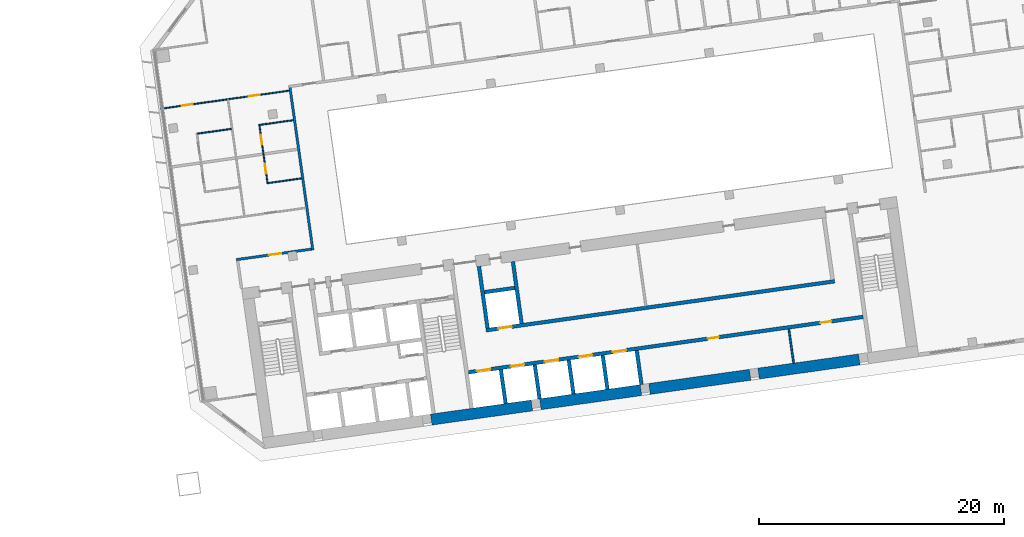
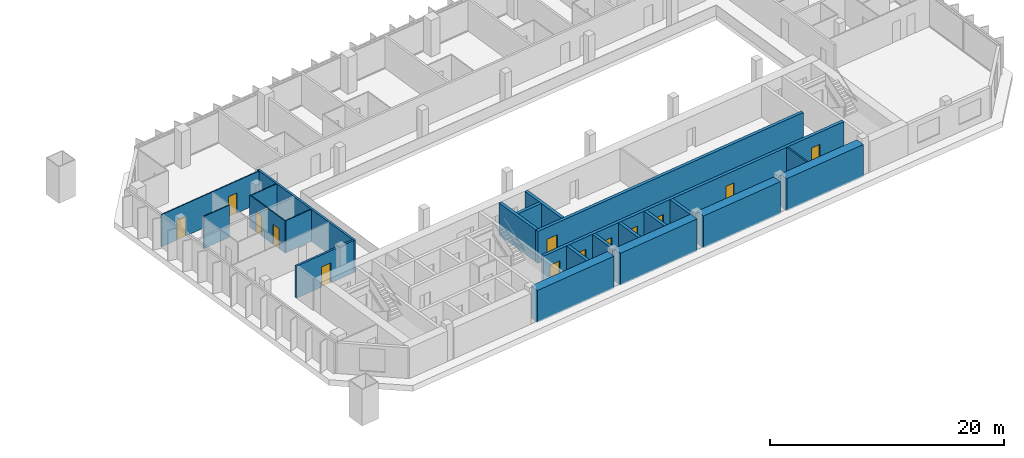
# One storey, part 19 of 25: 22 walls, 13 doors, 13 openings.
"""IFC4 building model written with IfcOpenShell, lengths in metres."""

from ifc_helpers import new_model, si_unit, direction, frame, frame_2d, origin, place, context, subcontext, project, spatial, rectangle, extrude, material, layer, layer_set, type_object, element, fill, save


model = new_model("IFC4")

# Units and contexts
model_context = context("Model", 3, precision=1e-05, world=origin(), true_north=direction((0.0, 1.0)))
body_context = subcontext(model_context, "Body", "Model", "MODEL_VIEW")
ifc_project = project(units=[si_unit("LENGTHUNIT", "METRE"), si_unit("AREAUNIT", "SQUARE_METRE"), si_unit("VOLUMEUNIT", "CUBIC_METRE"), si_unit("PLANEANGLEUNIT", "RADIAN"), si_unit("MASSUNIT", "GRAM", prefix="KILO")], contexts=[model_context])

# Site, building, storey
site_placement = place(None, origin())
site = spatial("IfcSite", under=ifc_project, at=site_placement, CompositionType="ELEMENT")
building_placement = place(site_placement, origin())
building = spatial("IfcBuilding", under=site, at=building_placement, Name="Mirante Cascada Hotel Towers", CompositionType="ELEMENT")
storey_placement = place(building_placement, frame((0.0, 0.0, 73.7)))
storey = spatial("IfcBuildingStorey", under=building, at=storey_placement, Name="L15", CompositionType="ELEMENT", Elevation=73.7)

# Wall, opening, door
ifc_material_1 = material(Name="Fire-rated plasterboard on metal studs")
ifc_layer_1 = layer(ifc_material_1, 0.2)
ifc_layer_set_1 = layer_set([ifc_layer_1], Name="Compartment wall 200 EI 120")
wall_type_1 = type_object("IfcWallType", Name="Compartment wall 200 EI 120", PredefinedType="PARTITIONING", material=ifc_layer_set_1)
wall_1_placement = place(storey_placement, frame((40.97, -3.8917, 0.0), z_axis=(0.0, 0.0, 1.0), x_axis=(-0.9902695, -0.1391629, 0.0)))
wall_1 = element("IfcWall", 1, at=wall_1_placement, inside=storey, type_object=wall_type_1, Name="Wall 2-L15-03", PredefinedType="PARTITIONING", context=body_context, shape_type="SweptSolid", body=[
    extrude(rectangle(XDim=6.1999, YDim=0.2, at=frame_2d((3.1, 0.0))), origin(), (0.0, 0.0, 1.0), 3.35),
])
opening_1_placement = place(wall_1_placement, frame((2.5, 0.0, 0.0)))
opening_1 = element("IfcOpeningElement", 2, at=opening_1_placement, cuts=wall_1, Name="Opening D2-L15-04", PredefinedType="OPENING", context=body_context, shape_type="SweptSolid", body=[
    extrude(rectangle(XDim=1.0, YDim=2.1, at=frame_2d((0.5, 1.05))), frame((0.0, 0.1, 0.0), z_axis=(0.0, -1.0, 0.0), x_axis=(1.0, 0.0, 0.0)), (0.0, 0.0, 1.0), 0.2),
])
ifc_material_2 = material(Name="Fire-rated timber door leaf", Category="wood")
door_type_1 = type_object("IfcDoorType", Name="Entrance door DG1 1000x2100 EI 60", OperationType="SINGLE_SWING_LEFT", PredefinedType="DOOR", material=ifc_material_2)
door_1_placement = place(opening_1_placement, origin())
door_1 = element("IfcDoor", 3, at=door_1_placement, inside=storey, type_object=door_type_1, Name="Door D2-L15-04", OperationType="SINGLE_SWING_LEFT", OverallHeight=2.1, OverallWidth=1.0, PredefinedType="DOOR", context=body_context, shape_type="SweptSolid", body=[
    extrude(rectangle(XDim=1.0, YDim=2.1, at=frame_2d((0.5, 1.05))), frame((0.0, 0.025, 0.0), z_axis=(0.0, -1.0, 0.0), x_axis=(1.0, 0.0, 0.0)), (0.0, 0.0, 1.0), 0.05),
])
fill(opening_1, door_1)

# Walls
wall_2_placement = place(storey_placement, frame((41.083, -3.9768, 0.0), z_axis=(0.0, 0.0, 1.0), x_axis=(-0.1391716, 0.9902683, 0.0)))
element("IfcWall", 4, at=wall_2_placement, inside=storey, type_object=wall_type_1, Name="Wall 2-L15-34", PredefinedType="PARTITIONING", context=body_context, shape_type="SweptSolid", body=[
    extrude(rectangle(XDim=13.4, YDim=0.2, at=frame_2d((6.7, 0.0))), origin(), (0.0, 0.0, 1.0), 3.35),
])
ifc_material_3 = material(Name="Masonry block", Category="masonry")
ifc_layer_2 = layer(ifc_material_3, 0.15)
ifc_layer_set_2 = layer_set([ifc_layer_2], Name="Core room partition 150 block EI 30")
wall_type_2 = type_object("IfcWallType", Name="Core room partition 150 block EI 30", PredefinedType="PARTITIONING", material=ifc_layer_set_2)
wall_3_placement = place(storey_placement, frame((80.349, -13.2018, 0.0), z_axis=(0.0, 0.0, 1.0), x_axis=(-0.139176, 0.9902677, 0.0)))
element("IfcWall", 5, at=wall_3_placement, inside=storey, type_object=wall_type_2, Name="Core wall partition T2 L15 5", PredefinedType="PARTITIONING", context=body_context, shape_type="SweptSolid", body=[
    extrude(rectangle(XDim=2.8001, YDim=0.15, at=frame_2d((1.4, 0.0))), origin(), (0.0, 0.0, 1.0), 3.35),
])
ifc_material_4 = material(Name="Plasterboard on metal studs")
ifc_layer_3 = layer(ifc_material_4, 0.1)
ifc_layer_set_3 = layer_set([ifc_layer_3], Name="Partition 100")
wall_type_3 = type_object("IfcWallType", Name="Partition 100", PredefinedType="PARTITIONING", material=ifc_layer_set_3)
wall_4_placement = place(storey_placement, frame((37.435, 1.5021, 0.0), z_axis=(0.0, 0.0, 1.0), x_axis=(0.9902641, 0.1392013, 0.0)))
element("IfcWall", 6, at=wall_4_placement, inside=storey, type_object=wall_type_3, Name="Wall 2-L15-10", PredefinedType="PARTITIONING", context=body_context, shape_type="SweptSolid", body=[
    extrude(rectangle(XDim=2.75, YDim=0.1, at=frame_2d((1.375, 0.0))), origin(), (0.0, 0.0, 1.0), 3.35),
])
wall_5_placement = place(storey_placement, frame((34.4398, 5.9284, 0.0), z_axis=(0.0, 0.0, 1.0), x_axis=(-0.9902677, -0.139176, 0.0)))
element("IfcWall", 7, at=wall_5_placement, inside=storey, type_object=wall_type_3, Name="Wall 2-L15-13", PredefinedType="PARTITIONING", context=body_context, shape_type="SweptSolid", body=[
    extrude(rectangle(XDim=2.8001, YDim=0.1, at=frame_2d((1.4, 0.0))), origin(), (0.0, 0.0, 1.0), 3.35),
])
wall_6_placement = place(storey_placement, frame((36.7669, 6.2554, 0.0), z_axis=(0.0, 0.0, 1.0), x_axis=(0.9902698, 0.1391607, 0.0)))
element("IfcWall", 8, at=wall_6_placement, inside=storey, type_object=wall_type_3, Name="Wall 2-L15-14", PredefinedType="PARTITIONING", context=body_context, shape_type="SweptSolid", body=[
    extrude(rectangle(XDim=2.7501, YDim=0.1, at=frame_2d((1.3751, 0.0))), origin(), (0.0, 0.0, 1.0), 3.35),
])

# Wall, openings, doors
wall_7_placement = place(storey_placement, frame((39.1515, 9.0479, 0.0), z_axis=(0.0, 0.0, 1.0), x_axis=(-0.9902671, -0.1391797, 0.0)))
wall_7 = element("IfcWall", 9, at=wall_7_placement, inside=storey, type_object=wall_type_3, Name="Wall 2-L15-17", PredefinedType="PARTITIONING", context=body_context, shape_type="SweptSolid", body=[
    extrude(rectangle(XDim=10.6, YDim=0.1, at=frame_2d((5.3, 0.0))), origin(), (0.0, 0.0, 1.0), 3.35),
])
opening_2_placement = place(wall_7_placement, frame((7.975, 0.0, 0.0)))
opening_2 = element("IfcOpeningElement", 10, at=opening_2_placement, cuts=wall_7, Name="Opening D2-L15-07", PredefinedType="OPENING", context=body_context, shape_type="SweptSolid", body=[
    extrude(rectangle(XDim=0.9, YDim=2.1, at=frame_2d((0.45, 1.05))), frame((0.0, 0.05, 0.0), z_axis=(0.0, -1.0, 0.0), x_axis=(1.0, 0.0, 0.0)), (0.0, 0.0, 1.0), 0.1),
])
opening_3_placement = place(wall_7_placement, frame((2.425, 0.0, 0.0)))
opening_3 = element("IfcOpeningElement", 11, at=opening_3_placement, cuts=wall_7, Name="Opening D2-L15-08", PredefinedType="OPENING", context=body_context, shape_type="SweptSolid", body=[
    extrude(rectangle(XDim=0.9, YDim=2.1, at=frame_2d((0.45, 1.05))), frame((0.0, 0.05, 0.0), z_axis=(0.0, -1.0, 0.0), x_axis=(1.0, 0.0, 0.0)), (0.0, 0.0, 1.0), 0.1),
])
ifc_material_5 = material(Name="Timber door leaf", Category="wood")
door_type_2 = type_object("IfcDoorType", Name="Room door DG3 900x2100", OperationType="SINGLE_SWING_LEFT", PredefinedType="DOOR", material=ifc_material_5)
door_2_placement = place(opening_2_placement, frame((0.9, 0.0, 0.0), z_axis=(0.0, 0.0, 1.0), x_axis=(-1.0, 0.0, 0.0)))
door_2 = element("IfcDoor", 12, at=door_2_placement, inside=storey, type_object=door_type_2, Name="Door D2-L15-07", OperationType="SINGLE_SWING_RIGHT", OverallHeight=2.1, OverallWidth=0.9, PredefinedType="DOOR", context=body_context, shape_type="SweptSolid", body=[
    extrude(rectangle(XDim=0.9, YDim=2.1, at=frame_2d((0.45, 1.05))), frame((0.0, 0.025, 0.0), z_axis=(0.0, -1.0, 0.0), x_axis=(1.0, 0.0, 0.0)), (0.0, 0.0, 1.0), 0.05),
])
fill(opening_2, door_2)
door_3_placement = place(opening_3_placement, frame((0.9, 0.0, 0.0), z_axis=(0.0, 0.0, 1.0), x_axis=(-1.0, 0.0, 0.0)))
door_3 = element("IfcDoor", 13, at=door_3_placement, inside=storey, type_object=door_type_2, Name="Door D2-L15-08", OperationType="SINGLE_SWING_RIGHT", OverallHeight=2.1, OverallWidth=0.9, PredefinedType="DOOR", context=body_context, shape_type="SweptSolid", body=[
    extrude(rectangle(XDim=0.9, YDim=2.1, at=frame_2d((0.45, 1.05))), frame((0.0, 0.025, 0.0), z_axis=(0.0, -1.0, 0.0), x_axis=(1.0, 0.0, 0.0)), (0.0, 0.0, 1.0), 0.05),
])
fill(opening_3, door_3)

wall_8_placement = place(storey_placement, frame((36.7105, 6.298, 0.0), z_axis=(0.0, 0.0, 1.0), x_axis=(0.1391638, -0.9902694, 0.0)))
wall_8 = element("IfcWall", 14, at=wall_8_placement, inside=storey, type_object=wall_type_3, Name="Wall 2-L15-33", PredefinedType="PARTITIONING", context=body_context, shape_type="SweptSolid", body=[
    extrude(rectangle(XDim=4.9, YDim=0.1, at=frame_2d((2.45, 0.0))), origin(), (0.0, 0.0, 1.0), 3.35),
])
opening_4_placement = place(wall_8_placement, frame((3.25, 0.0, 0.0)))
opening_4 = element("IfcOpeningElement", 15, at=opening_4_placement, cuts=wall_8, Name="Opening D2-L15-32", PredefinedType="OPENING", context=body_context, shape_type="SweptSolid", body=[
    extrude(rectangle(XDim=0.8, YDim=2.1, at=frame_2d((0.4, 1.05))), frame((0.0, 0.05, 0.0), z_axis=(0.0, -1.0, 0.0), x_axis=(1.0, 0.0, 0.0)), (0.0, 0.0, 1.0), 0.1),
])
opening_5_placement = place(wall_8_placement, frame((0.85, 0.0, 0.0)))
opening_5 = element("IfcOpeningElement", 16, at=opening_5_placement, cuts=wall_8, Name="Opening D2-L15-33", PredefinedType="OPENING", context=body_context, shape_type="SweptSolid", body=[
    extrude(rectangle(XDim=0.8, YDim=2.1, at=frame_2d((0.4, 1.05))), frame((0.0, 0.05, 0.0), z_axis=(0.0, -1.0, 0.0), x_axis=(1.0, 0.0, 0.0)), (0.0, 0.0, 1.0), 0.1),
])
ifc_material_6 = material(Name="Timber door leaf", Category="wood")
door_type_3 = type_object("IfcDoorType", Name="Bathroom door DG4 800x2100", OperationType="SINGLE_SWING_LEFT", PredefinedType="DOOR", material=ifc_material_6)
door_4_placement = place(opening_4_placement, origin())
door_4 = element("IfcDoor", 17, at=door_4_placement, inside=storey, type_object=door_type_3, Name="Door D2-L15-32", OperationType="SINGLE_SWING_LEFT", OverallHeight=2.1, OverallWidth=0.8, PredefinedType="DOOR", context=body_context, shape_type="SweptSolid", body=[
    extrude(rectangle(XDim=0.8, YDim=2.1, at=frame_2d((0.4, 1.05))), frame((0.0, 0.025, 0.0), z_axis=(0.0, -1.0, 0.0), x_axis=(1.0, 0.0, 0.0)), (0.0, 0.0, 1.0), 0.05),
])
fill(opening_4, door_4)
door_5_placement = place(opening_5_placement, origin())
door_5 = element("IfcDoor", 18, at=door_5_placement, inside=storey, type_object=door_type_3, Name="Door D2-L15-33", OperationType="SINGLE_SWING_LEFT", OverallHeight=2.1, OverallWidth=0.8, PredefinedType="DOOR", context=body_context, shape_type="SweptSolid", body=[
    extrude(rectangle(XDim=0.8, YDim=2.1, at=frame_2d((0.4, 1.05))), frame((0.0, 0.025, 0.0), z_axis=(0.0, -1.0, 0.0), x_axis=(1.0, 0.0, 0.0)), (0.0, 0.0, 1.0), 0.05),
])
fill(opening_5, door_5)

ifc_material_7 = material(Name="Concrete C50/60", Category="concrete")
ifc_layer_4 = layer(ifc_material_7, 0.3)
ifc_layer_set_4 = layer_set([ifc_layer_4], Name="RC core wall 300 C50/60")
wall_type_4 = type_object("IfcWallType", Name="RC core wall 300 C50/60", PredefinedType="SHEAR", material=ifc_layer_set_4)
wall_9_placement = place(storey_placement, frame((53.7953, -13.9547, 0.0), z_axis=(0.0, 0.0, 1.0), x_axis=(0.990268, 0.1391733, 0.0)))
wall_9 = element("IfcWall", 19, at=wall_9_placement, inside=storey, type_object=wall_type_4, Name="Core wall T2:L15:25", PredefinedType="SHEAR", context=body_context, shape_type="SweptSolid", body=[
    extrude(rectangle(XDim=32.5501, YDim=0.3, at=frame_2d((16.275, 0.0))), origin(), (0.0, 0.0, 1.0), 3.35),
])
opening_6_placement = place(wall_9_placement, frame((0.7, 0.0, 0.0)))
opening_6 = element("IfcOpeningElement", 20, at=opening_6_placement, cuts=wall_9, Name="Opening LD", PredefinedType="OPENING", context=body_context, shape_type="SweptSolid", body=[
    extrude(rectangle(XDim=1.1, YDim=2.1, at=frame_2d((0.55, 1.05))), frame((0.0, 0.15, 0.0), z_axis=(0.0, -1.0, 0.0), x_axis=(1.0, 0.0, 0.0)), (0.0, 0.0, 1.0), 0.3),
])
opening_7_placement = place(wall_9_placement, frame((3.5, 0.0, 0.0)))
opening_7 = element("IfcOpeningElement", 21, at=opening_7_placement, cuts=wall_9, Name="Opening LD", PredefinedType="OPENING", context=body_context, shape_type="SweptSolid", body=[
    extrude(rectangle(XDim=1.1, YDim=2.1, at=frame_2d((0.55, 1.05))), frame((0.0, 0.15, 0.0), z_axis=(0.0, -1.0, 0.0), x_axis=(1.0, 0.0, 0.0)), (0.0, 0.0, 1.0), 0.3),
])
opening_8_placement = place(wall_9_placement, frame((6.3, 0.0, 0.0)))
opening_8 = element("IfcOpeningElement", 22, at=opening_8_placement, cuts=wall_9, Name="Opening LD", PredefinedType="OPENING", context=body_context, shape_type="SweptSolid", body=[
    extrude(rectangle(XDim=1.1, YDim=2.1, at=frame_2d((0.55, 1.05))), frame((0.0, 0.15, 0.0), z_axis=(0.0, -1.0, 0.0), x_axis=(1.0, 0.0, 0.0)), (0.0, 0.0, 1.0), 0.3),
])
opening_9_placement = place(wall_9_placement, frame((9.1, 0.0, 0.0)))
opening_9 = element("IfcOpeningElement", 23, at=opening_9_placement, cuts=wall_9, Name="Opening LD", PredefinedType="OPENING", context=body_context, shape_type="SweptSolid", body=[
    extrude(rectangle(XDim=1.1, YDim=2.1, at=frame_2d((0.55, 1.05))), frame((0.0, 0.15, 0.0), z_axis=(0.0, -1.0, 0.0), x_axis=(1.0, 0.0, 0.0)), (0.0, 0.0, 1.0), 0.3),
])
opening_10_placement = place(wall_9_placement, frame((11.9, 0.0, 0.0)))
opening_10 = element("IfcOpeningElement", 24, at=opening_10_placement, cuts=wall_9, Name="Opening LD", PredefinedType="OPENING", context=body_context, shape_type="SweptSolid", body=[
    extrude(rectangle(XDim=1.1, YDim=2.1, at=frame_2d((0.55, 1.05))), frame((0.0, 0.15, 0.0), z_axis=(0.0, -1.0, 0.0), x_axis=(1.0, 0.0, 0.0)), (0.0, 0.0, 1.0), 0.3),
])
opening_11_placement = place(wall_9_placement, frame((19.75, 0.0, 0.0)))
opening_11 = element("IfcOpeningElement", 25, at=opening_11_placement, cuts=wall_9, Name="Opening D2-15-C26", PredefinedType="OPENING", context=body_context, shape_type="SweptSolid", body=[
    extrude(rectangle(XDim=0.9, YDim=2.1, at=frame_2d((0.45, 1.05))), frame((0.0, 0.15, 0.0), z_axis=(0.0, -1.0, 0.0), x_axis=(1.0, 0.0, 0.0)), (0.0, 0.0, 1.0), 0.3),
])
opening_12_placement = place(wall_9_placement, frame((29.025, 0.0, 0.0)))
opening_12 = element("IfcOpeningElement", 26, at=opening_12_placement, cuts=wall_9, Name="Opening D2-15-C27", PredefinedType="OPENING", context=body_context, shape_type="SweptSolid", body=[
    extrude(rectangle(XDim=0.9, YDim=2.1, at=frame_2d((0.45, 1.05))), frame((0.0, 0.15, 0.0), z_axis=(0.0, -1.0, 0.0), x_axis=(1.0, 0.0, 0.0)), (0.0, 0.0, 1.0), 0.3),
])
ifc_material_8 = material(Name="Hollow metal fire door leaf")
door_type_4 = type_object("IfcDoorType", Name="Fire door 900x2100 FD60", OperationType="NOTDEFINED", PredefinedType="DOOR", material=ifc_material_8)
door_6_placement = place(opening_11_placement, frame((0.9, 0.0, 0.0), z_axis=(0.0, 0.0, 1.0), x_axis=(-1.0, 0.0, 0.0)))
door_6 = element("IfcDoor", 27, at=door_6_placement, inside=storey, type_object=door_type_4, Name="Room door T2 L15 26", OperationType="SINGLE_SWING_RIGHT", OverallHeight=2.1, OverallWidth=0.9, PredefinedType="DOOR", context=body_context, shape_type="SweptSolid", body=[
    extrude(rectangle(XDim=0.9, YDim=2.1, at=frame_2d((0.45, 1.05))), frame((0.0, 0.025, 0.0), z_axis=(0.0, -1.0, 0.0), x_axis=(1.0, 0.0, 0.0)), (0.0, 0.0, 1.0), 0.05),
])
fill(opening_11, door_6)
door_7_placement = place(opening_12_placement, frame((0.9, 0.0, 0.0), z_axis=(0.0, 0.0, 1.0), x_axis=(-1.0, 0.0, 0.0)))
door_7 = element("IfcDoor", 28, at=door_7_placement, inside=storey, type_object=door_type_4, Name="Room door T2 L15 27", OperationType="SINGLE_SWING_RIGHT", OverallHeight=2.1, OverallWidth=0.9, PredefinedType="DOOR", context=body_context, shape_type="SweptSolid", body=[
    extrude(rectangle(XDim=0.9, YDim=2.1, at=frame_2d((0.45, 1.05))), frame((0.0, 0.025, 0.0), z_axis=(0.0, -1.0, 0.0), x_axis=(1.0, 0.0, 0.0)), (0.0, 0.0, 1.0), 0.05),
])
fill(opening_12, door_7)
ifc_material_9 = material(Name="Stainless steel", Category="steel")
door_type_5 = type_object("IfcDoorType", Name="Lift landing door 1100x2100 EI 120", OperationType="DOUBLE_DOOR_SLIDING", PredefinedType="DOOR", material=ifc_material_9)
door_8_placement = place(opening_6_placement, origin())
door_8 = element("IfcDoor", 29, at=door_8_placement, inside=storey, type_object=door_type_5, Name="Lift landing door LR2-1 L15", OperationType="DOUBLE_DOOR_SLIDING", OverallHeight=2.1, OverallWidth=1.1, PredefinedType="DOOR", context=body_context, shape_type="SweptSolid", body=[
    extrude(rectangle(XDim=0.545, YDim=2.1, at=frame_2d((0.2725, 1.05))), frame((0.0, 0.025, 0.0), z_axis=(0.0, -1.0, 0.0), x_axis=(1.0, 0.0, 0.0)), (0.0, 0.0, 1.0), 0.05),
    extrude(rectangle(XDim=0.545, YDim=2.1, at=frame_2d((0.8275, 1.05))), frame((0.0, 0.025, 0.0), z_axis=(0.0, -1.0, 0.0), x_axis=(1.0, 0.0, 0.0)), (0.0, 0.0, 1.0), 0.05),
])
fill(opening_6, door_8)
door_9_placement = place(opening_7_placement, origin())
door_9 = element("IfcDoor", 30, at=door_9_placement, inside=storey, type_object=door_type_5, Name="Lift landing door LR2-2 L15", OperationType="DOUBLE_DOOR_SLIDING", OverallHeight=2.1, OverallWidth=1.1, PredefinedType="DOOR", context=body_context, shape_type="SweptSolid", body=[
    extrude(rectangle(XDim=0.545, YDim=2.1, at=frame_2d((0.2725, 1.05))), frame((0.0, 0.025, 0.0), z_axis=(0.0, -1.0, 0.0), x_axis=(1.0, 0.0, 0.0)), (0.0, 0.0, 1.0), 0.05),
    extrude(rectangle(XDim=0.545, YDim=2.1, at=frame_2d((0.8275, 1.05))), frame((0.0, 0.025, 0.0), z_axis=(0.0, -1.0, 0.0), x_axis=(1.0, 0.0, 0.0)), (0.0, 0.0, 1.0), 0.05),
])
fill(opening_7, door_9)
door_10_placement = place(opening_8_placement, origin())
door_10 = element("IfcDoor", 31, at=door_10_placement, inside=storey, type_object=door_type_5, Name="Lift landing door SV2-1 L15", OperationType="DOUBLE_DOOR_SLIDING", OverallHeight=2.1, OverallWidth=1.1, PredefinedType="DOOR", context=body_context, shape_type="SweptSolid", body=[
    extrude(rectangle(XDim=0.545, YDim=2.1, at=frame_2d((0.2725, 1.05))), frame((0.0, 0.025, 0.0), z_axis=(0.0, -1.0, 0.0), x_axis=(1.0, 0.0, 0.0)), (0.0, 0.0, 1.0), 0.05),
    extrude(rectangle(XDim=0.545, YDim=2.1, at=frame_2d((0.8275, 1.05))), frame((0.0, 0.025, 0.0), z_axis=(0.0, -1.0, 0.0), x_axis=(1.0, 0.0, 0.0)), (0.0, 0.0, 1.0), 0.05),
])
fill(opening_8, door_10)
door_11_placement = place(opening_9_placement, origin())
door_11 = element("IfcDoor", 32, at=door_11_placement, inside=storey, type_object=door_type_5, Name="Lift landing door SV2-2 L15", OperationType="DOUBLE_DOOR_SLIDING", OverallHeight=2.1, OverallWidth=1.1, PredefinedType="DOOR", context=body_context, shape_type="SweptSolid", body=[
    extrude(rectangle(XDim=0.545, YDim=2.1, at=frame_2d((0.2725, 1.05))), frame((0.0, 0.025, 0.0), z_axis=(0.0, -1.0, 0.0), x_axis=(1.0, 0.0, 0.0)), (0.0, 0.0, 1.0), 0.05),
    extrude(rectangle(XDim=0.545, YDim=2.1, at=frame_2d((0.8275, 1.05))), frame((0.0, 0.025, 0.0), z_axis=(0.0, -1.0, 0.0), x_axis=(1.0, 0.0, 0.0)), (0.0, 0.0, 1.0), 0.05),
])
fill(opening_9, door_11)
door_12_placement = place(opening_10_placement, origin())
door_12 = element("IfcDoor", 33, at=door_12_placement, inside=storey, type_object=door_type_5, Name="Lift landing door SV2-3 L15", OperationType="DOUBLE_DOOR_SLIDING", OverallHeight=2.1, OverallWidth=1.1, PredefinedType="DOOR", context=body_context, shape_type="SweptSolid", body=[
    extrude(rectangle(XDim=0.545, YDim=2.1, at=frame_2d((0.2725, 1.05))), frame((0.0, 0.025, 0.0), z_axis=(0.0, -1.0, 0.0), x_axis=(1.0, 0.0, 0.0)), (0.0, 0.0, 1.0), 0.05),
    extrude(rectangle(XDim=0.545, YDim=2.1, at=frame_2d((0.8275, 1.05))), frame((0.0, 0.025, 0.0), z_axis=(0.0, -1.0, 0.0), x_axis=(1.0, 0.0, 0.0)), (0.0, 0.0, 1.0), 0.05),
])
fill(opening_10, door_12)

# Walls
for number, where, z_axis, x_axis, name in (
    (34, (56.8301, -16.5072, 0.0), (0.0, 0.0, 1.0), (-0.139176, 0.9902677, 0.0), "Core wall T2:L15:26"),
    (35, (59.6029, -16.1175, 0.0), (0.0, 0.0, 1.0), (-0.139176, 0.9902677, 0.0), "Core wall T2:L15:27"),
    (36, (62.3756, -15.7278, 0.0), (0.0, 0.0, 1.0), (-0.139176, 0.9902677, 0.0), "Core wall T2:L15:28"),
    (37, (65.1484, -15.3381, 0.0), (0.0, 0.0, 1.0), (-0.139176, 0.9902677, 0.0), "Core wall T2:L15:29"),
):
    element("IfcWall", number, at=place(storey_placement, frame(where, z_axis=z_axis, x_axis=x_axis)), inside=storey, type_object=wall_type_4, Name=name, PredefinedType="SHEAR", context=body_context, shape_type="SweptSolid", body=[
        extrude(rectangle(XDim=2.8001, YDim=0.3, at=frame_2d((1.4, 0.0))), origin(), (0.0, 0.0, 1.0), 3.35),
    ])
wall_10_placement = place(storey_placement, frame((67.9211, -14.9484, 0.0), z_axis=(0.0, 0.0, 1.0), x_axis=(-0.139181, 0.990267, 0.0)))
element("IfcWall", 38, at=wall_10_placement, inside=storey, type_object=wall_type_4, Name="Core wall T2:L15:30", PredefinedType="SHEAR", context=body_context, shape_type="SweptSolid", body=[
    extrude(rectangle(XDim=2.8, YDim=0.3, at=frame_2d((1.4, 0.0))), origin(), (0.0, 0.0, 1.0), 3.35),
])

# Wall, opening, door
wall_11_placement = place(storey_placement, frame((55.2315, -10.5214, 0.0), z_axis=(0.0, 0.0, 1.0), x_axis=(0.9902682, 0.1391722, 0.0)))
wall_11 = element("IfcWall", 39, at=wall_11_placement, inside=storey, type_object=wall_type_4, Name="Core wall T2:L15:32", PredefinedType="SHEAR", context=body_context, shape_type="SweptSolid", body=[
    extrude(rectangle(XDim=28.75, YDim=0.3, at=frame_2d((14.375, 0.0))), origin(), (0.0, 0.0, 1.0), 3.35),
])
opening_13_placement = place(wall_11_placement, frame((1.0, 0.0, 0.0)))
opening_13 = element("IfcOpeningElement", 40, at=opening_13_placement, cuts=wall_11, Name="Opening LD", PredefinedType="OPENING", context=body_context, shape_type="SweptSolid", body=[
    extrude(rectangle(XDim=1.1, YDim=2.1, at=frame_2d((0.55, 1.05))), frame((0.0, 0.15, 0.0), z_axis=(0.0, -1.0, 0.0), x_axis=(1.0, 0.0, 0.0)), (0.0, 0.0, 1.0), 0.3),
])
door_13_placement = place(opening_13_placement, origin())
door_13 = element("IfcDoor", 41, at=door_13_placement, inside=storey, type_object=door_type_5, Name="Lift landing door LR2-3 L15", OperationType="DOUBLE_DOOR_SLIDING", OverallHeight=2.1, OverallWidth=1.1, PredefinedType="DOOR", context=body_context, shape_type="SweptSolid", body=[
    extrude(rectangle(XDim=0.545, YDim=2.1, at=frame_2d((0.2725, 1.05))), frame((0.0, 0.025, 0.0), z_axis=(0.0, -1.0, 0.0), x_axis=(1.0, 0.0, 0.0)), (0.0, 0.0, 1.0), 0.05),
    extrude(rectangle(XDim=0.545, YDim=2.1, at=frame_2d((0.8275, 1.05))), frame((0.0, 0.025, 0.0), z_axis=(0.0, -1.0, 0.0), x_axis=(1.0, 0.0, 0.0)), (0.0, 0.0, 1.0), 0.05),
])
fill(opening_13, door_13)

# Walls
for number, where, z_axis, x_axis, name in (
    (42, (55.3592, -10.352, 0.0), (0.0, 0.0, 1.0), (-0.1391755, 0.9902677, 0.0), "Core wall T2:L15:33"),
    (43, (58.1319, -9.9623, 0.0), (0.0, 0.0, 1.0), (-0.1391755, 0.9902677, 0.0), "Core wall T2:L15:35"),
):
    element("IfcWall", number, at=place(storey_placement, frame(where, z_axis=z_axis, x_axis=x_axis)), inside=storey, type_object=wall_type_4, Name=name, PredefinedType="SHEAR", context=body_context, shape_type="SweptSolid", body=[
        extrude(rectangle(XDim=5.1, YDim=0.3, at=frame_2d((2.55, 0.0))), origin(), (0.0, 0.0, 1.0), 3.35),
    ])
wall_12_placement = place(storey_placement, frame((55.0971, -7.4098, 0.0), z_axis=(0.0, 0.0, 1.0), x_axis=(0.9902701, 0.1391586, 0.0)))
element("IfcWall", 44, at=wall_12_placement, inside=storey, type_object=wall_type_4, Name="Core wall T2:L15:36", PredefinedType="SHEAR", context=body_context, shape_type="SweptSolid", body=[
    extrude(rectangle(XDim=2.5, YDim=0.3, at=frame_2d((1.25, 0.0))), origin(), (0.0, 0.0, 1.0), 3.35),
])
ifc_material_10 = material(Name="Concrete C50/60", Category="concrete")
ifc_layer_5 = layer(ifc_material_10, 0.9)
ifc_layer_set_5 = layer_set([ifc_layer_5], Name="RC core wall 900 C50/60")
wall_type_5 = type_object("IfcWallType", Name="RC core wall 900 C50/60", PredefinedType="SHEAR", material=ifc_layer_set_5)
for number, where, z_axis, x_axis, name in (
    (45, (50.7531, -17.8156, 0.0), (0.0, 0.0, 1.0), (0.9902686, 0.1391692, 0.0), "Core wall T2:L15:1.3"),
    (46, (59.6655, -16.5631, 0.0), (0.0, 0.0, 1.0), (0.9902686, 0.1391692, 0.0), "Core wall T2:L15:1.4"),
    (47, (68.5779, -15.3105, 0.0), (0.0, 0.0, 1.0), (0.9902686, 0.1391692, 0.0), "Core wall T2:L15:1.5"),
    (48, (77.4903, -14.058, 0.0), (0.0, 0.0, 1.0), (0.990267, 0.139181, 0.0), "Core wall T2:L15:1.6"),
):
    element("IfcWall", number, at=place(storey_placement, frame(where, z_axis=z_axis, x_axis=x_axis)), inside=storey, type_object=wall_type_5, Name=name, PredefinedType="SHEAR", context=body_context, shape_type="SweptSolid", body=[
        extrude(rectangle(XDim=8.3, YDim=0.9, at=frame_2d((4.15, 0.0))), origin(), (0.0, 0.0, 1.0), 3.35),
    ])

save(model, "model.ifc")
